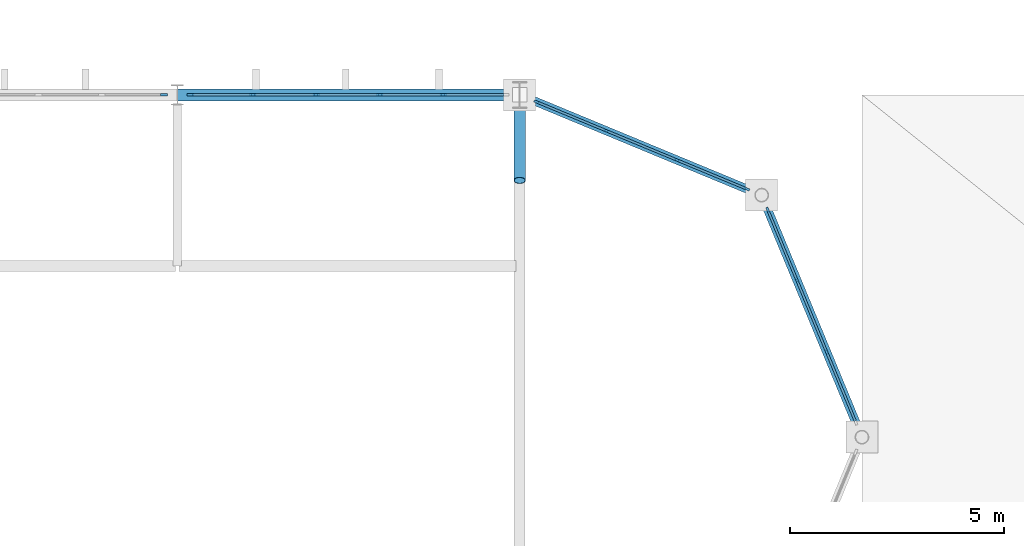
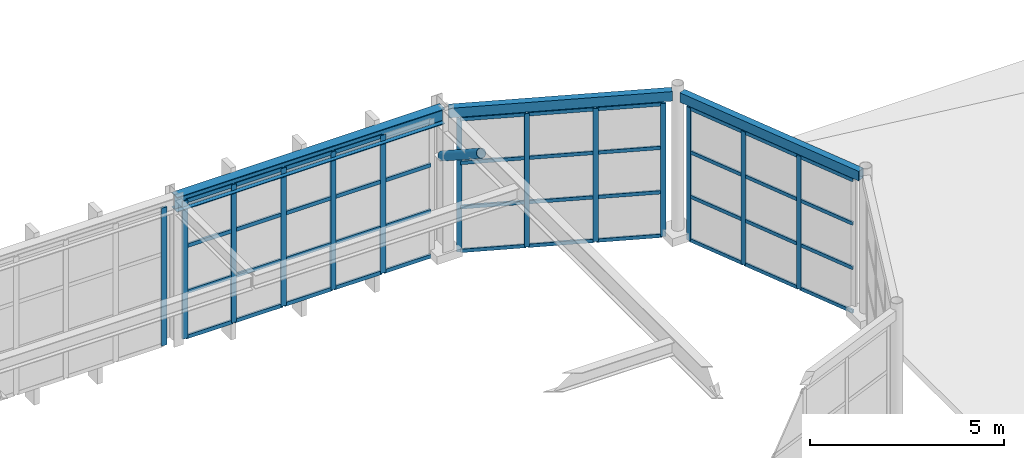
# One storey, part 33 of 61: 57 members, 3 beams, 4 elements without a shape of their own.
"""IFC4 building model written with IfcOpenShell, lengths in metres."""

from ifc_helpers import new_model, si_unit, direction, frame, origin, origin_2d, place, context, subcontext, project, spatial, rectangle, hollow_rectangle, hollow_circle, i_section, extrude, material, material_profile, profile_set, type_object, element, aggregate, save


model = new_model("IFC4")

# Units and contexts
model_context = context("Model", 3, precision=1e-05, world=origin(), true_north=direction((0.0, 1.0)))
body_context = subcontext(model_context, "Body", "Model", "MODEL_VIEW")
ifc_project = project(units=[si_unit("LENGTHUNIT", "METRE"), si_unit("AREAUNIT", "SQUARE_METRE"), si_unit("VOLUMEUNIT", "CUBIC_METRE"), si_unit("PLANEANGLEUNIT", "RADIAN"), si_unit("MASSUNIT", "GRAM", prefix="KILO")], contexts=[model_context])

# Site, building, storey
site_placement = place(None, origin())
site = spatial("IfcSite", under=ifc_project, at=site_placement, CompositionType="ELEMENT")
building_placement = place(site_placement, origin())
building = spatial("IfcBuilding", under=site, at=building_placement, Name="Serraluz Foothill Cableway Terminal", CompositionType="ELEMENT")
storey_placement = place(building_placement, frame((0.0, 0.0, 15.0)))
storey = spatial("IfcBuildingStorey", under=building, at=storey_placement, Name="L03", CompositionType="ELEMENT", Elevation=15.0)

# Curtain wall, members
ifc_material_1 = material(Name="Architectural bronze alloy C28000", Category="aluminium")
curtain_wall_type_1 = type_object("IfcCurtainWallType", Name="TYP-CW-480X380", PredefinedType="NOTDEFINED", material=ifc_material_1)
curtain_wall_1_placement = place(storey_placement, origin())
curtain_wall_1 = element("IfcCurtainWall", 1, at=curtain_wall_1_placement, inside=storey, type_object=curtain_wall_type_1, Name="Ribbed Glazed Curtain Wall CW-V1-E-L03-1", PredefinedType="NOTDEFINED")
ifc_material_2 = material(Name="Extruded aluminium 6063-T6", Category="aluminium")
ifc_material_profile_1 = material_profile(ifc_material_2, rectangle(XDim=0.054931640625, YDim=0.139892578125, at=origin_2d()), Name="ALU MULLION 55x140")
ifc_profile_set_1 = profile_set([ifc_material_profile_1], Name="Extruded aluminium 6063-T6")
member_type_1 = type_object("IfcMemberType", Name="TYP-CW-MUL-55X140", PredefinedType="MULLION", material=ifc_profile_set_1)
member_1_placement = place(storey_placement, frame((152.40234375, 71.83349609375, 0.0), z_axis=(0.0, 0.0, 1.0), x_axis=(0.382681674752, 0.923880260537, 0.0)))
member_1 = element("IfcMember", 2, at=member_1_placement, type_object=member_type_1, Name="CW-14 mullion 1", PredefinedType="MULLION", context=body_context, shape_type="SweptSolid", body=[
    extrude(rectangle(XDim=0.054931640625, YDim=0.139892578125, at=origin_2d()), origin(), (0.0, 0.0, 1.0), 4.199951171875),
])
member_2_placement = place(storey_placement, frame((154.028564453125, 71.15966796875, 0.0), z_axis=(0.0, 0.0, 1.0), x_axis=(0.382681674752, 0.923880260537, 0.0)))
member_2 = element("IfcMember", 3, at=member_2_placement, type_object=member_type_1, Name="CW-14 mullion 2", PredefinedType="MULLION", context=body_context, shape_type="SweptSolid", body=[
    extrude(rectangle(XDim=0.054931640625, YDim=0.139892578125, at=origin_2d()), origin(), (0.0, 0.0, 1.0), 4.199951171875),
])
member_3_placement = place(storey_placement, frame((155.680419921875, 70.4755859375, 0.0), z_axis=(0.0, 0.0, 1.0), x_axis=(0.382681674752, 0.923880260537, 0.0)))
member_3 = element("IfcMember", 4, at=member_3_placement, type_object=member_type_1, Name="CW-14 mullion 3", PredefinedType="MULLION", context=body_context, shape_type="SweptSolid", body=[
    extrude(rectangle(XDim=0.054931640625, YDim=0.139892578125, at=origin_2d()), origin(), (0.0, 0.0, 1.0), 4.199951171875),
])
member_4_placement = place(storey_placement, frame((157.306640625, 69.802001953125, 0.0), z_axis=(0.0, 0.0, 1.0), x_axis=(0.382681674752, 0.923880260537, 0.0)))
member_4 = element("IfcMember", 5, at=member_4_placement, type_object=member_type_1, Name="CW-14 mullion 4", PredefinedType="MULLION", context=body_context, shape_type="SweptSolid", body=[
    extrude(rectangle(XDim=0.054931640625, YDim=0.139892578125, at=origin_2d()), origin(), (0.0, 0.0, 1.0), 4.199951171875),
])

curtain_wall_type_2 = type_object("IfcCurtainWallType", Name="TYP-CW-480X420", PredefinedType="NOTDEFINED", material=ifc_material_1)
curtain_wall_2_placement = place(storey_placement, origin())
curtain_wall_2 = element("IfcCurtainWall", 6, at=curtain_wall_2_placement, inside=storey, type_object=curtain_wall_type_2, Name="Ribbed Glazed Curtain Wall CW-V1-E-L03-2", PredefinedType="NOTDEFINED")
member_5_placement = place(storey_placement, frame((157.802001953125, 69.306640625, 0.0), z_axis=(0.0, 0.0, 1.0), x_axis=(0.923878982655, 0.382684759834, 0.0)))
member_5 = element("IfcMember", 7, at=member_5_placement, type_object=member_type_1, Name="CW-15 mullion 1", PredefinedType="MULLION", context=body_context, shape_type="SweptSolid", body=[
    extrude(rectangle(XDim=0.054931640625, YDim=0.139892578125, at=origin_2d()), origin(), (0.0, 0.0, 1.0), 4.199951171875),
])
member_6_placement = place(storey_placement, frame((158.482666015625, 67.6630859375, 0.0), z_axis=(0.0, 0.0, 1.0), x_axis=(0.923878982655, 0.382684759834, 0.0)))
member_6 = element("IfcMember", 8, at=member_6_placement, type_object=member_type_1, Name="CW-15 mullion 2", PredefinedType="MULLION", context=body_context, shape_type="SweptSolid", body=[
    extrude(rectangle(XDim=0.054931640625, YDim=0.139892578125, at=origin_2d()), origin(), (0.0, 0.0, 1.0), 4.199951171875),
])
member_7_placement = place(storey_placement, frame((159.174072265625, 65.993896484375, 0.0), z_axis=(0.0, 0.0, 1.0), x_axis=(0.923878982655, 0.382684759834, 0.0)))
member_7 = element("IfcMember", 9, at=member_7_placement, type_object=member_type_1, Name="CW-15 mullion 3", PredefinedType="MULLION", context=body_context, shape_type="SweptSolid", body=[
    extrude(rectangle(XDim=0.054931640625, YDim=0.139892578125, at=origin_2d()), origin(), (0.0, 0.0, 1.0), 4.199951171875),
])

# Curtain wall, member
curtain_wall_type_3 = type_object("IfcCurtainWallType", Name="TYP-CW-1480X390", PredefinedType="NOTDEFINED", material=ifc_material_1)
curtain_wall_3_placement = place(storey_placement, origin())
curtain_wall_3 = element("IfcCurtainWall", 10, at=curtain_wall_3_placement, inside=storey, type_object=curtain_wall_type_3, Name="Ribbed Glazed Curtain Wall CW-V1N-L03-136", PredefinedType="NOTDEFINED")
ifc_material_profile_2 = material_profile(ifc_material_1, rectangle(XDim=0.06005859375, YDim=0.159912109375, at=origin_2d()), Name="ALU MULLION 60x160")
ifc_profile_set_2 = profile_set([ifc_material_profile_2], Name="Architectural bronze alloy C28000")
member_type_2 = type_object("IfcMemberType", Name="TYP-CW-MUL-60X160", PredefinedType="MULLION", material=ifc_profile_set_2)
member_8_placement = place(storey_placement, frame((143.6884765625, 72.0, 0.0), z_axis=(0.0, 0.0, 1.0), x_axis=(0.0, 1.0, 0.0)))
member_8 = element("IfcMember", 11, at=member_8_placement, type_object=member_type_2, Name="CW-24 mullion 6", PredefinedType="MULLION", context=body_context, shape_type="SweptSolid", body=[
    extrude(rectangle(XDim=0.06005859375, YDim=0.159912109375, at=origin_2d()), origin(), (0.0, 0.0, 1.0), 4.35009765625),
])
aggregate(curtain_wall_3, [member_8])

# Curtain wall, members
curtain_wall_type_4 = type_object("IfcCurtainWallType", Name="TYP-CW-710X420", PredefinedType="NOTDEFINED", material=ifc_material_1)
curtain_wall_4_placement = place(storey_placement, origin())
curtain_wall_4 = element("IfcCurtainWall", 12, at=curtain_wall_4_placement, inside=storey, type_object=curtain_wall_type_4, Name="Ribbed Glazed Curtain Wall CW-V1N-L03-144", PredefinedType="NOTDEFINED")
member_9_placement = place(storey_placement, frame((144.3115234375, 72.0, 0.0), z_axis=(0.0, 0.0, 1.0), x_axis=(0.0, 1.0, 0.0)))
member_9 = element("IfcMember", 13, at=member_9_placement, type_object=member_type_2, Name="CW-01 mullion 1", PredefinedType="MULLION", context=body_context, shape_type="SweptSolid", body=[
    extrude(rectangle(XDim=0.06005859375, YDim=0.159912109375, at=origin_2d()), origin(), (0.0, 0.0, 1.0), 4.35009765625),
])
member_10_placement = place(storey_placement, frame((145.7646484375, 72.0, 0.0), z_axis=(0.0, 0.0, 1.0), x_axis=(0.0, 1.0, 0.0)))
member_10 = element("IfcMember", 14, at=member_10_placement, type_object=member_type_2, Name="CW-01 mullion 2", PredefinedType="MULLION", context=body_context, shape_type="SweptSolid", body=[
    extrude(rectangle(XDim=0.06005859375, YDim=0.159912109375, at=origin_2d()), origin(), (0.0, 0.0, 1.0), 4.35009765625),
])
member_11_placement = place(storey_placement, frame((147.247802734375, 72.0, 0.0), z_axis=(0.0, 0.0, 1.0), x_axis=(0.0, 1.0, 0.0)))
member_11 = element("IfcMember", 15, at=member_11_placement, type_object=member_type_2, Name="CW-01 mullion 3", PredefinedType="MULLION", context=body_context, shape_type="SweptSolid", body=[
    extrude(rectangle(XDim=0.06005859375, YDim=0.159912109375, at=origin_2d()), origin(), (0.0, 0.0, 1.0), 4.35009765625),
])
member_12_placement = place(storey_placement, frame((148.731201171875, 72.0, 0.0), z_axis=(0.0, 0.0, 1.0), x_axis=(0.0, 1.0, 0.0)))
member_12 = element("IfcMember", 16, at=member_12_placement, type_object=member_type_2, Name="CW-01 mullion 4", PredefinedType="MULLION", context=body_context, shape_type="SweptSolid", body=[
    extrude(rectangle(XDim=0.06005859375, YDim=0.159912109375, at=origin_2d()), origin(), (0.0, 0.0, 1.0), 4.35009765625),
])
member_13_placement = place(storey_placement, frame((150.21435546875, 72.0, 0.0), z_axis=(0.0, 0.0, 1.0), x_axis=(0.0, 1.0, 0.0)))
member_13 = element("IfcMember", 17, at=member_13_placement, type_object=member_type_2, Name="CW-01 mullion 5", PredefinedType="MULLION", context=body_context, shape_type="SweptSolid", body=[
    extrude(rectangle(XDim=0.06005859375, YDim=0.159912109375, at=origin_2d()), origin(), (0.0, 0.0, 1.0), 4.35009765625),
])

# Member
ifc_material_profile_3 = material_profile(ifc_material_2, rectangle(XDim=0.054931640625, YDim=0.110107421875, at=origin_2d()), Name="ALU TRANSOM 55x110")
ifc_profile_set_3 = profile_set([ifc_material_profile_3], Name="Extruded aluminium 6063-T6")
member_type_3 = type_object("IfcMemberType", Name="TYP-CW-TRN-55X110", PredefinedType="USERDEFINED", material=ifc_profile_set_3)
member_14_placement = place(storey_placement, frame((152.427734375, 71.82275390625, 0.027587890625), z_axis=(0.923875488976, -0.382693194178, 0.0), x_axis=(0.382693194178, 0.923875488976, 0.0)))
member_14 = element("IfcMember", 18, at=member_14_placement, type_object=member_type_3, Name="CW-14 transom 1.1", ObjectType="TRANSOM", PredefinedType="USERDEFINED", context=body_context, shape_type="SweptSolid", body=[
    extrude(rectangle(XDim=0.054931640625, YDim=0.110107421875, at=origin_2d()), origin(), (0.0, 0.0, 1.0), 1.705322265625),
])

member_15_placement = place(storey_placement, frame((152.427734375, 71.82275390625, 1.39990234375), z_axis=(0.923875488976, -0.382693194178, 0.0), x_axis=(0.382693194178, 0.923875488976, 0.0)))
member_15 = element("IfcMember", 19, at=member_15_placement, type_object=member_type_3, Name="CW-14 transom 1.2", ObjectType="TRANSOM", PredefinedType="USERDEFINED", context=body_context, shape_type="SweptSolid", body=[
    extrude(rectangle(XDim=0.054931640625, YDim=0.110107421875, at=origin_2d()), origin(), (0.0, 0.0, 1.0), 1.705322265625),
])

member_16_placement = place(storey_placement, frame((152.427734375, 71.82275390625, 2.800048828125), z_axis=(0.923875488976, -0.382693194178, 0.0), x_axis=(0.382693194178, 0.923875488976, 0.0)))
member_16 = element("IfcMember", 20, at=member_16_placement, type_object=member_type_3, Name="CW-14 transom 1.3", ObjectType="TRANSOM", PredefinedType="USERDEFINED", context=body_context, shape_type="SweptSolid", body=[
    extrude(rectangle(XDim=0.054931640625, YDim=0.110107421875, at=origin_2d()), origin(), (0.0, 0.0, 1.0), 1.705322265625),
])

member_17_placement = place(storey_placement, frame((152.427734375, 71.82275390625, 4.172607421875), z_axis=(0.923875488976, -0.382693194178, 0.0), x_axis=(0.382693194178, 0.923875488976, 0.0)))
member_17 = element("IfcMember", 21, at=member_17_placement, type_object=member_type_3, Name="CW-14 transom 1.4", ObjectType="TRANSOM", PredefinedType="USERDEFINED", context=body_context, shape_type="SweptSolid", body=[
    extrude(rectangle(XDim=0.054931640625, YDim=0.110107421875, at=origin_2d()), origin(), (0.0, 0.0, 1.0), 1.705322265625),
])

member_18_placement = place(storey_placement, frame((154.053955078125, 71.149169921875, 0.027587890625), z_axis=(0.923900079523, -0.382633823724, 0.0), x_axis=(0.382633823724, 0.923900079523, 0.0)))
member_18 = element("IfcMember", 22, at=member_18_placement, type_object=member_type_3, Name="CW-14 transom 2.1", ObjectType="TRANSOM", PredefinedType="USERDEFINED", context=body_context, shape_type="SweptSolid", body=[
    extrude(rectangle(XDim=0.054931640625, YDim=0.110107421875, at=origin_2d()), origin(), (0.0, 0.0, 1.0), 1.73291015625),
])

member_19_placement = place(storey_placement, frame((154.053955078125, 71.149169921875, 1.39990234375), z_axis=(0.923900079523, -0.382633823724, 0.0), x_axis=(0.382633823724, 0.923900079523, 0.0)))
member_19 = element("IfcMember", 23, at=member_19_placement, type_object=member_type_3, Name="CW-14 transom 2.2", ObjectType="TRANSOM", PredefinedType="USERDEFINED", context=body_context, shape_type="SweptSolid", body=[
    extrude(rectangle(XDim=0.054931640625, YDim=0.110107421875, at=origin_2d()), origin(), (0.0, 0.0, 1.0), 1.73291015625),
])

member_20_placement = place(storey_placement, frame((154.053955078125, 71.149169921875, 2.800048828125), z_axis=(0.923900079523, -0.382633823724, 0.0), x_axis=(0.382633823724, 0.923900079523, 0.0)))
member_20 = element("IfcMember", 24, at=member_20_placement, type_object=member_type_3, Name="CW-14 transom 2.3", ObjectType="TRANSOM", PredefinedType="USERDEFINED", context=body_context, shape_type="SweptSolid", body=[
    extrude(rectangle(XDim=0.054931640625, YDim=0.110107421875, at=origin_2d()), origin(), (0.0, 0.0, 1.0), 1.73291015625),
])

member_21_placement = place(storey_placement, frame((154.053955078125, 71.149169921875, 4.172607421875), z_axis=(0.923900079523, -0.382633823724, 0.0), x_axis=(0.382633823724, 0.923900079523, 0.0)))
member_21 = element("IfcMember", 25, at=member_21_placement, type_object=member_type_3, Name="CW-14 transom 2.4", ObjectType="TRANSOM", PredefinedType="USERDEFINED", context=body_context, shape_type="SweptSolid", body=[
    extrude(rectangle(XDim=0.054931640625, YDim=0.110107421875, at=origin_2d()), origin(), (0.0, 0.0, 1.0), 1.73291015625),
])

member_22_placement = place(storey_placement, frame((155.705810546875, 70.465087890625, 0.027587890625), z_axis=(0.923875488976, -0.382693194178, 0.0), x_axis=(0.382693194178, 0.923875488976, 0.0)))
member_22 = element("IfcMember", 26, at=member_22_placement, type_object=member_type_3, Name="CW-14 transom 3.1", ObjectType="TRANSOM", PredefinedType="USERDEFINED", context=body_context, shape_type="SweptSolid", body=[
    extrude(rectangle(XDim=0.054931640625, YDim=0.110107421875, at=origin_2d()), origin(), (0.0, 0.0, 1.0), 1.705322265625),
])

member_23_placement = place(storey_placement, frame((155.705810546875, 70.465087890625, 1.39990234375), z_axis=(0.923875488976, -0.382693194178, 0.0), x_axis=(0.382693194178, 0.923875488976, 0.0)))
member_23 = element("IfcMember", 27, at=member_23_placement, type_object=member_type_3, Name="CW-14 transom 3.2", ObjectType="TRANSOM", PredefinedType="USERDEFINED", context=body_context, shape_type="SweptSolid", body=[
    extrude(rectangle(XDim=0.054931640625, YDim=0.110107421875, at=origin_2d()), origin(), (0.0, 0.0, 1.0), 1.705322265625),
])

member_24_placement = place(storey_placement, frame((155.705810546875, 70.465087890625, 2.800048828125), z_axis=(0.923875488976, -0.382693194178, 0.0), x_axis=(0.382693194178, 0.923875488976, 0.0)))
member_24 = element("IfcMember", 28, at=member_24_placement, type_object=member_type_3, Name="CW-14 transom 3.3", ObjectType="TRANSOM", PredefinedType="USERDEFINED", context=body_context, shape_type="SweptSolid", body=[
    extrude(rectangle(XDim=0.054931640625, YDim=0.110107421875, at=origin_2d()), origin(), (0.0, 0.0, 1.0), 1.705322265625),
])

member_25_placement = place(storey_placement, frame((155.705810546875, 70.465087890625, 4.172607421875), z_axis=(0.923875488976, -0.382693194178, 0.0), x_axis=(0.382693194178, 0.923875488976, 0.0)))
member_25 = element("IfcMember", 29, at=member_25_placement, type_object=member_type_3, Name="CW-14 transom 3.4", ObjectType="TRANSOM", PredefinedType="USERDEFINED", context=body_context, shape_type="SweptSolid", body=[
    extrude(rectangle(XDim=0.054931640625, YDim=0.110107421875, at=origin_2d()), origin(), (0.0, 0.0, 1.0), 1.705322265625),
])

aggregate(curtain_wall_1, [member_1, member_2, member_3, member_4, member_14, member_15, member_16, member_17, member_18, member_19, member_20, member_21, member_22, member_23, member_24, member_25])

member_26_placement = place(storey_placement, frame((157.8125, 69.28125, 0.027587890625), z_axis=(0.382643629872, -0.923896018239, 0.0), x_axis=(0.923896018239, 0.382643629872, 0.0)))
member_26 = element("IfcMember", 30, at=member_26_placement, type_object=member_type_3, Name="CW-15 transom 1.1", ObjectType="TRANSOM", PredefinedType="USERDEFINED", context=body_context, shape_type="SweptSolid", body=[
    extrude(rectangle(XDim=0.054931640625, YDim=0.110107421875, at=origin_2d()), origin(), (0.0, 0.0, 1.0), 1.723876953125),
])

member_27_placement = place(storey_placement, frame((157.8125, 69.28125, 1.39990234375), z_axis=(0.382643629872, -0.923896018239, 0.0), x_axis=(0.923896018239, 0.382643629872, 0.0)))
member_27 = element("IfcMember", 31, at=member_27_placement, type_object=member_type_3, Name="CW-15 transom 1.2", ObjectType="TRANSOM", PredefinedType="USERDEFINED", context=body_context, shape_type="SweptSolid", body=[
    extrude(rectangle(XDim=0.054931640625, YDim=0.110107421875, at=origin_2d()), origin(), (0.0, 0.0, 1.0), 1.723876953125),
])

member_28_placement = place(storey_placement, frame((157.8125, 69.28125, 2.800048828125), z_axis=(0.382643629872, -0.923896018239, 0.0), x_axis=(0.923896018239, 0.382643629872, 0.0)))
member_28 = element("IfcMember", 32, at=member_28_placement, type_object=member_type_3, Name="CW-15 transom 1.3", ObjectType="TRANSOM", PredefinedType="USERDEFINED", context=body_context, shape_type="SweptSolid", body=[
    extrude(rectangle(XDim=0.054931640625, YDim=0.110107421875, at=origin_2d()), origin(), (0.0, 0.0, 1.0), 1.723876953125),
])

member_29_placement = place(storey_placement, frame((157.8125, 69.28125, 4.172607421875), z_axis=(0.382643629872, -0.923896018239, 0.0), x_axis=(0.923896018239, 0.382643629872, 0.0)))
member_29 = element("IfcMember", 33, at=member_29_placement, type_object=member_type_3, Name="CW-15 transom 1.4", ObjectType="TRANSOM", PredefinedType="USERDEFINED", context=body_context, shape_type="SweptSolid", body=[
    extrude(rectangle(XDim=0.054931640625, YDim=0.110107421875, at=origin_2d()), origin(), (0.0, 0.0, 1.0), 1.723876953125),
])

member_30_placement = place(storey_placement, frame((158.493408203125, 67.6376953125, 0.027587890625), z_axis=(0.382585676577, -0.923920018226, 0.0), x_axis=(0.923920018226, 0.382585676577, 0.0)))
member_30 = element("IfcMember", 34, at=member_30_placement, type_object=member_type_3, Name="CW-15 transom 2.1", ObjectType="TRANSOM", PredefinedType="USERDEFINED", context=body_context, shape_type="SweptSolid", body=[
    extrude(rectangle(XDim=0.054931640625, YDim=0.110107421875, at=origin_2d()), origin(), (0.0, 0.0, 1.0), 1.751708984375),
])

member_31_placement = place(storey_placement, frame((158.493408203125, 67.6376953125, 1.39990234375), z_axis=(0.382585676577, -0.923920018226, 0.0), x_axis=(0.923920018226, 0.382585676577, 0.0)))
member_31 = element("IfcMember", 35, at=member_31_placement, type_object=member_type_3, Name="CW-15 transom 2.2", ObjectType="TRANSOM", PredefinedType="USERDEFINED", context=body_context, shape_type="SweptSolid", body=[
    extrude(rectangle(XDim=0.054931640625, YDim=0.110107421875, at=origin_2d()), origin(), (0.0, 0.0, 1.0), 1.751708984375),
])

member_32_placement = place(storey_placement, frame((158.493408203125, 67.6376953125, 2.800048828125), z_axis=(0.382585676577, -0.923920018226, 0.0), x_axis=(0.923920018226, 0.382585676577, 0.0)))
member_32 = element("IfcMember", 36, at=member_32_placement, type_object=member_type_3, Name="CW-15 transom 2.3", ObjectType="TRANSOM", PredefinedType="USERDEFINED", context=body_context, shape_type="SweptSolid", body=[
    extrude(rectangle(XDim=0.054931640625, YDim=0.110107421875, at=origin_2d()), origin(), (0.0, 0.0, 1.0), 1.751708984375),
])

member_33_placement = place(storey_placement, frame((158.493408203125, 67.6376953125, 4.172607421875), z_axis=(0.382585676577, -0.923920018226, 0.0), x_axis=(0.923920018226, 0.382585676577, 0.0)))
member_33 = element("IfcMember", 37, at=member_33_placement, type_object=member_type_3, Name="CW-15 transom 2.4", ObjectType="TRANSOM", PredefinedType="USERDEFINED", context=body_context, shape_type="SweptSolid", body=[
    extrude(rectangle(XDim=0.054931640625, YDim=0.110107421875, at=origin_2d()), origin(), (0.0, 0.0, 1.0), 1.751708984375),
])

member_34_placement = place(storey_placement, frame((159.1845703125, 65.968505859375, 0.027587890625), z_axis=(0.382764500292, -0.92384594891, 0.0), x_axis=(0.92384594891, 0.382764500292, 0.0)))
member_34 = element("IfcMember", 38, at=member_34_placement, type_object=member_type_3, Name="CW-15 transom 3.1", ObjectType="TRANSOM", PredefinedType="USERDEFINED", context=body_context, shape_type="SweptSolid", body=[
    extrude(rectangle(XDim=0.054931640625, YDim=0.110107421875, at=origin_2d()), origin(), (0.0, 0.0, 1.0), 1.72412109375),
])

member_35_placement = place(storey_placement, frame((159.1845703125, 65.968505859375, 1.39990234375), z_axis=(0.382764500292, -0.92384594891, 0.0), x_axis=(0.92384594891, 0.382764500292, 0.0)))
member_35 = element("IfcMember", 39, at=member_35_placement, type_object=member_type_3, Name="CW-15 transom 3.2", ObjectType="TRANSOM", PredefinedType="USERDEFINED", context=body_context, shape_type="SweptSolid", body=[
    extrude(rectangle(XDim=0.054931640625, YDim=0.110107421875, at=origin_2d()), origin(), (0.0, 0.0, 1.0), 1.72412109375),
])

member_36_placement = place(storey_placement, frame((159.1845703125, 65.968505859375, 2.800048828125), z_axis=(0.382764500292, -0.92384594891, 0.0), x_axis=(0.92384594891, 0.382764500292, 0.0)))
member_36 = element("IfcMember", 40, at=member_36_placement, type_object=member_type_3, Name="CW-15 transom 3.3", ObjectType="TRANSOM", PredefinedType="USERDEFINED", context=body_context, shape_type="SweptSolid", body=[
    extrude(rectangle(XDim=0.054931640625, YDim=0.110107421875, at=origin_2d()), origin(), (0.0, 0.0, 1.0), 1.72412109375),
])

member_37_placement = place(storey_placement, frame((159.1845703125, 65.968505859375, 4.172607421875), z_axis=(0.382764500292, -0.92384594891, 0.0), x_axis=(0.92384594891, 0.382764500292, 0.0)))
member_37 = element("IfcMember", 41, at=member_37_placement, type_object=member_type_3, Name="CW-15 transom 3.4", ObjectType="TRANSOM", PredefinedType="USERDEFINED", context=body_context, shape_type="SweptSolid", body=[
    extrude(rectangle(XDim=0.054931640625, YDim=0.110107421875, at=origin_2d()), origin(), (0.0, 0.0, 1.0), 1.72412109375),
])

aggregate(curtain_wall_2, [member_5, member_6, member_7, member_26, member_27, member_28, member_29, member_30, member_31, member_32, member_33, member_34, member_35, member_36, member_37])

ifc_material_profile_4 = material_profile(ifc_material_1, rectangle(XDim=0.06005859375, YDim=0.1201171875, at=origin_2d()), Name="ALU TRANSOM 60x120")
ifc_profile_set_4 = profile_set([ifc_material_profile_4], Name="Architectural bronze alloy C28000")
member_type_4 = type_object("IfcMemberType", Name="TYP-CW-TRN-60X120", PredefinedType="USERDEFINED", material=ifc_profile_set_4)
member_38_placement = place(storey_placement, frame((144.341552734375, 72.0, 0.030029296875), z_axis=(1.0, 0.0, 0.0), x_axis=(0.0, 1.0, 0.0)))
member_38 = element("IfcMember", 42, at=member_38_placement, type_object=member_type_4, Name="CW-01 transom 1.1", ObjectType="TRANSOM", PredefinedType="USERDEFINED", context=body_context, shape_type="SweptSolid", body=[
    extrude(rectangle(XDim=0.06005859375, YDim=0.1201171875, at=origin_2d()), origin(), (0.0, 0.0, 1.0), 1.39306640625),
])

member_39_placement = place(storey_placement, frame((144.341552734375, 72.0, 1.449951171875), z_axis=(1.0, 0.0, 0.0), x_axis=(0.0, 1.0, 0.0)))
member_39 = element("IfcMember", 43, at=member_39_placement, type_object=member_type_4, Name="CW-01 transom 1.2", ObjectType="TRANSOM", PredefinedType="USERDEFINED", context=body_context, shape_type="SweptSolid", body=[
    extrude(rectangle(XDim=0.06005859375, YDim=0.1201171875, at=origin_2d()), origin(), (0.0, 0.0, 1.0), 1.39306640625),
])

member_40_placement = place(storey_placement, frame((144.341552734375, 72.0, 2.89990234375), z_axis=(1.0, 0.0, 0.0), x_axis=(0.0, 1.0, 0.0)))
member_40 = element("IfcMember", 44, at=member_40_placement, type_object=member_type_4, Name="CW-01 transom 1.3", ObjectType="TRANSOM", PredefinedType="USERDEFINED", context=body_context, shape_type="SweptSolid", body=[
    extrude(rectangle(XDim=0.06005859375, YDim=0.1201171875, at=origin_2d()), origin(), (0.0, 0.0, 1.0), 1.39306640625),
])

member_41_placement = place(storey_placement, frame((144.341552734375, 72.0, 4.320068359375), z_axis=(1.0, 0.0, 0.0), x_axis=(0.0, 1.0, 0.0)))
member_41 = element("IfcMember", 45, at=member_41_placement, type_object=member_type_4, Name="CW-01 transom 1.4", ObjectType="TRANSOM", PredefinedType="USERDEFINED", context=body_context, shape_type="SweptSolid", body=[
    extrude(rectangle(XDim=0.06005859375, YDim=0.1201171875, at=origin_2d()), origin(), (0.0, 0.0, 1.0), 1.39306640625),
])

member_42_placement = place(storey_placement, frame((145.794677734375, 72.0, 0.030029296875), z_axis=(1.0, 0.0, 0.0), x_axis=(0.0, 1.0, 0.0)))
member_42 = element("IfcMember", 46, at=member_42_placement, type_object=member_type_4, Name="CW-01 transom 2.1", ObjectType="TRANSOM", PredefinedType="USERDEFINED", context=body_context, shape_type="SweptSolid", body=[
    extrude(rectangle(XDim=0.06005859375, YDim=0.1201171875, at=origin_2d()), origin(), (0.0, 0.0, 1.0), 1.42333984375),
])

member_43_placement = place(storey_placement, frame((145.794677734375, 72.0, 1.449951171875), z_axis=(1.0, 0.0, 0.0), x_axis=(0.0, 1.0, 0.0)))
member_43 = element("IfcMember", 47, at=member_43_placement, type_object=member_type_4, Name="CW-01 transom 2.2", ObjectType="TRANSOM", PredefinedType="USERDEFINED", context=body_context, shape_type="SweptSolid", body=[
    extrude(rectangle(XDim=0.06005859375, YDim=0.1201171875, at=origin_2d()), origin(), (0.0, 0.0, 1.0), 1.42333984375),
])

member_44_placement = place(storey_placement, frame((145.794677734375, 72.0, 2.89990234375), z_axis=(1.0, 0.0, 0.0), x_axis=(0.0, 1.0, 0.0)))
member_44 = element("IfcMember", 48, at=member_44_placement, type_object=member_type_4, Name="CW-01 transom 2.3", ObjectType="TRANSOM", PredefinedType="USERDEFINED", context=body_context, shape_type="SweptSolid", body=[
    extrude(rectangle(XDim=0.06005859375, YDim=0.1201171875, at=origin_2d()), origin(), (0.0, 0.0, 1.0), 1.42333984375),
])

member_45_placement = place(storey_placement, frame((145.794677734375, 72.0, 4.320068359375), z_axis=(1.0, 0.0, 0.0), x_axis=(0.0, 1.0, 0.0)))
member_45 = element("IfcMember", 49, at=member_45_placement, type_object=member_type_4, Name="CW-01 transom 2.4", ObjectType="TRANSOM", PredefinedType="USERDEFINED", context=body_context, shape_type="SweptSolid", body=[
    extrude(rectangle(XDim=0.06005859375, YDim=0.1201171875, at=origin_2d()), origin(), (0.0, 0.0, 1.0), 1.42333984375),
])

member_46_placement = place(storey_placement, frame((147.27783203125, 72.0, 0.030029296875), z_axis=(1.0, 0.0, 0.0), x_axis=(0.0, 1.0, 0.0)))
member_46 = element("IfcMember", 50, at=member_46_placement, type_object=member_type_4, Name="CW-01 transom 3.1", ObjectType="TRANSOM", PredefinedType="USERDEFINED", context=body_context, shape_type="SweptSolid", body=[
    extrude(rectangle(XDim=0.06005859375, YDim=0.1201171875, at=origin_2d()), origin(), (0.0, 0.0, 1.0), 1.42333984375),
])

member_47_placement = place(storey_placement, frame((147.27783203125, 72.0, 1.449951171875), z_axis=(1.0, 0.0, 0.0), x_axis=(0.0, 1.0, 0.0)))
member_47 = element("IfcMember", 51, at=member_47_placement, type_object=member_type_4, Name="CW-01 transom 3.2", ObjectType="TRANSOM", PredefinedType="USERDEFINED", context=body_context, shape_type="SweptSolid", body=[
    extrude(rectangle(XDim=0.06005859375, YDim=0.1201171875, at=origin_2d()), origin(), (0.0, 0.0, 1.0), 1.42333984375),
])

member_48_placement = place(storey_placement, frame((147.27783203125, 72.0, 2.89990234375), z_axis=(1.0, 0.0, 0.0), x_axis=(0.0, 1.0, 0.0)))
member_48 = element("IfcMember", 52, at=member_48_placement, type_object=member_type_4, Name="CW-01 transom 3.3", ObjectType="TRANSOM", PredefinedType="USERDEFINED", context=body_context, shape_type="SweptSolid", body=[
    extrude(rectangle(XDim=0.06005859375, YDim=0.1201171875, at=origin_2d()), origin(), (0.0, 0.0, 1.0), 1.42333984375),
])

member_49_placement = place(storey_placement, frame((147.27783203125, 72.0, 4.320068359375), z_axis=(1.0, 0.0, 0.0), x_axis=(0.0, 1.0, 0.0)))
member_49 = element("IfcMember", 53, at=member_49_placement, type_object=member_type_4, Name="CW-01 transom 3.4", ObjectType="TRANSOM", PredefinedType="USERDEFINED", context=body_context, shape_type="SweptSolid", body=[
    extrude(rectangle(XDim=0.06005859375, YDim=0.1201171875, at=origin_2d()), origin(), (0.0, 0.0, 1.0), 1.42333984375),
])

member_50_placement = place(storey_placement, frame((148.760986328125, 72.0, 0.030029296875), z_axis=(1.0, 0.0, 0.0), x_axis=(0.0, 1.0, 0.0)))
member_50 = element("IfcMember", 54, at=member_50_placement, type_object=member_type_4, Name="CW-01 transom 4.1", ObjectType="TRANSOM", PredefinedType="USERDEFINED", context=body_context, shape_type="SweptSolid", body=[
    extrude(rectangle(XDim=0.06005859375, YDim=0.1201171875, at=origin_2d()), origin(), (0.0, 0.0, 1.0), 1.42333984375),
])

member_51_placement = place(storey_placement, frame((148.760986328125, 72.0, 1.449951171875), z_axis=(1.0, 0.0, 0.0), x_axis=(0.0, 1.0, 0.0)))
member_51 = element("IfcMember", 55, at=member_51_placement, type_object=member_type_4, Name="CW-01 transom 4.2", ObjectType="TRANSOM", PredefinedType="USERDEFINED", context=body_context, shape_type="SweptSolid", body=[
    extrude(rectangle(XDim=0.06005859375, YDim=0.1201171875, at=origin_2d()), origin(), (0.0, 0.0, 1.0), 1.42333984375),
])

member_52_placement = place(storey_placement, frame((148.760986328125, 72.0, 2.89990234375), z_axis=(1.0, 0.0, 0.0), x_axis=(0.0, 1.0, 0.0)))
member_52 = element("IfcMember", 56, at=member_52_placement, type_object=member_type_4, Name="CW-01 transom 4.3", ObjectType="TRANSOM", PredefinedType="USERDEFINED", context=body_context, shape_type="SweptSolid", body=[
    extrude(rectangle(XDim=0.06005859375, YDim=0.1201171875, at=origin_2d()), origin(), (0.0, 0.0, 1.0), 1.42333984375),
])

member_53_placement = place(storey_placement, frame((148.760986328125, 72.0, 4.320068359375), z_axis=(1.0, 0.0, 0.0), x_axis=(0.0, 1.0, 0.0)))
member_53 = element("IfcMember", 57, at=member_53_placement, type_object=member_type_4, Name="CW-01 transom 4.4", ObjectType="TRANSOM", PredefinedType="USERDEFINED", context=body_context, shape_type="SweptSolid", body=[
    extrude(rectangle(XDim=0.06005859375, YDim=0.1201171875, at=origin_2d()), origin(), (0.0, 0.0, 1.0), 1.42333984375),
])

member_54_placement = place(storey_placement, frame((150.244384765625, 72.0, 0.030029296875), z_axis=(1.0, 0.0, 0.0), x_axis=(0.0, 1.0, 0.0)))
member_54 = element("IfcMember", 58, at=member_54_placement, type_object=member_type_4, Name="CW-01 transom 5.1", ObjectType="TRANSOM", PredefinedType="USERDEFINED", context=body_context, shape_type="SweptSolid", body=[
    extrude(rectangle(XDim=0.06005859375, YDim=0.1201171875, at=origin_2d()), origin(), (0.0, 0.0, 1.0), 1.39306640625),
])

member_55_placement = place(storey_placement, frame((150.244384765625, 72.0, 1.449951171875), z_axis=(1.0, 0.0, 0.0), x_axis=(0.0, 1.0, 0.0)))
member_55 = element("IfcMember", 59, at=member_55_placement, type_object=member_type_4, Name="CW-01 transom 5.2", ObjectType="TRANSOM", PredefinedType="USERDEFINED", context=body_context, shape_type="SweptSolid", body=[
    extrude(rectangle(XDim=0.06005859375, YDim=0.1201171875, at=origin_2d()), origin(), (0.0, 0.0, 1.0), 1.39306640625),
])

member_56_placement = place(storey_placement, frame((150.244384765625, 72.0, 2.89990234375), z_axis=(1.0, 0.0, 0.0), x_axis=(0.0, 1.0, 0.0)))
member_56 = element("IfcMember", 60, at=member_56_placement, type_object=member_type_4, Name="CW-01 transom 5.3", ObjectType="TRANSOM", PredefinedType="USERDEFINED", context=body_context, shape_type="SweptSolid", body=[
    extrude(rectangle(XDim=0.06005859375, YDim=0.1201171875, at=origin_2d()), origin(), (0.0, 0.0, 1.0), 1.39306640625),
])

aggregate(curtain_wall_4, [member_9, member_10, member_11, member_12, member_13, member_38, member_39, member_40, member_41, member_42, member_43, member_44, member_45, member_46, member_47, member_48, member_49, member_50, member_51, member_52, member_53, member_54, member_55, member_56])

# Beams
ifc_material_3 = material(Name="Steel ASTM A572 Grade 50", Category="steel")
ifc_material_profile_5 = material_profile(ifc_material_3, hollow_rectangle(XDim=0.199951171875, YDim=0.300048828125, WallThickness=0.011962890625, at=origin_2d()), Name="HSS300X200X12")
ifc_profile_set_5 = profile_set([ifc_material_profile_5], Name="Steel ASTM A572 Grade 50")
beam_type_1 = type_object("IfcBeamType", Name="TYP-SP-HSS300X200", PredefinedType="SPANDREL", material=ifc_profile_set_5)
for number, where, z_axis, x_axis, name in (
    (61, (159.942626953125, 64.138671875, 4.449951171875), (-0.382676423435, 0.923882435674, 0.0), (-0.923882435674, -0.382676423435, 0.0), "Curved End Ring Beam E-L03-3"),
    (62, (157.518310546875, 69.71435546875, 4.449951171875), (-0.923882435674, 0.382676423435, 0.0), (-0.382676423435, -0.923882435674, 0.0), "Curved End Ring Beam E-L03-4"),
):
    element("IfcBeam", number, at=place(storey_placement, frame(where, z_axis=z_axis, x_axis=x_axis)), inside=storey, type_object=beam_type_1, Name=name, PredefinedType="SPANDREL", context=body_context, shape_type="SweptSolid", body=[
        extrude(hollow_rectangle(XDim=0.199951171875, YDim=0.300048828125, WallThickness=0.011962890625, at=origin_2d()), origin(), (0.0, 0.0, 1.0), 5.82275390625),
    ])
ifc_material_4 = material(Name="Steel ASTM A992 Grade 50", Category="steel")
ifc_material_profile_6 = material_profile(ifc_material_4, i_section(OverallWidth=0.282958984375, OverallDepth=0.471923828125, WebThickness=0.013671875, FlangeThickness=0.022216796875, FilletRadius=0.014892578125, at=origin_2d()), Name="W18X97")
ifc_profile_set_6 = profile_set([ifc_material_profile_6], Name="Steel ASTM A992 Grade 50")
beam_type_2 = type_object("IfcBeamType", Name="TYP-SP-W18X97", PredefinedType="SPANDREL", material=ifc_profile_set_6)
beam_placement = place(storey_placement, frame((144.0048828125, 72.0, 4.384033203125), z_axis=(1.0, 0.0, 0.0), x_axis=(0.0, 1.0, 0.0)))
element("IfcBeam", 63, at=beam_placement, inside=storey, type_object=beam_type_2, Name="Primary Girder BM-X-L03-0376", PredefinedType="SPANDREL", context=body_context, shape_type="SweptSolid", body=[
    extrude(i_section(OverallWidth=0.282958984375, OverallDepth=0.471923828125, WebThickness=0.013671875, FlangeThickness=0.022216796875, FilletRadius=0.014892578125, at=origin_2d()), origin(), (0.0, 0.0, 1.0), 7.990234375),
])

# Member
ifc_material_profile_7 = material_profile(ifc_material_3, hollow_circle(Radius=0.136474609375, WallThickness=0.011962890625, at=origin_2d()), Name="CHS273X12")
ifc_profile_set_7 = profile_set([ifc_material_profile_7], Name="Steel ASTM A572 Grade 50")
member_type_5 = type_object("IfcMemberType", Name="TYP-ST-CHS273", PredefinedType="STRUT", material=ifc_profile_set_7)
member_57_placement = place(storey_placement, frame((152.0, 72.0, 3.050048828125), z_axis=(0.0, -0.838434262763, 0.545002740383), x_axis=(1.0, 0.0, 0.0)))
element("IfcMember", 64, at=member_57_placement, inside=storey, type_object=member_type_5, Name="Portal Knee Strut STRUT-TR-08-N", PredefinedType="STRUT", context=body_context, shape_type="SweptSolid", body=[
    extrude(hollow_circle(Radius=0.136474609375, WallThickness=0.011962890625, at=origin_2d()), origin(), (0.0, 0.0, 1.0), 2.385498046875),
])

save(model, "model.ifc")
